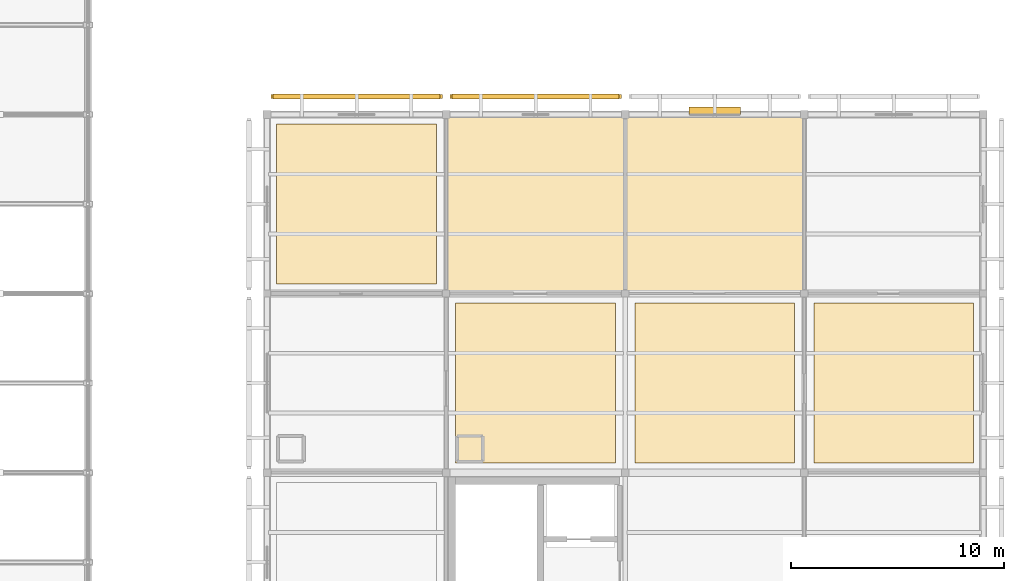
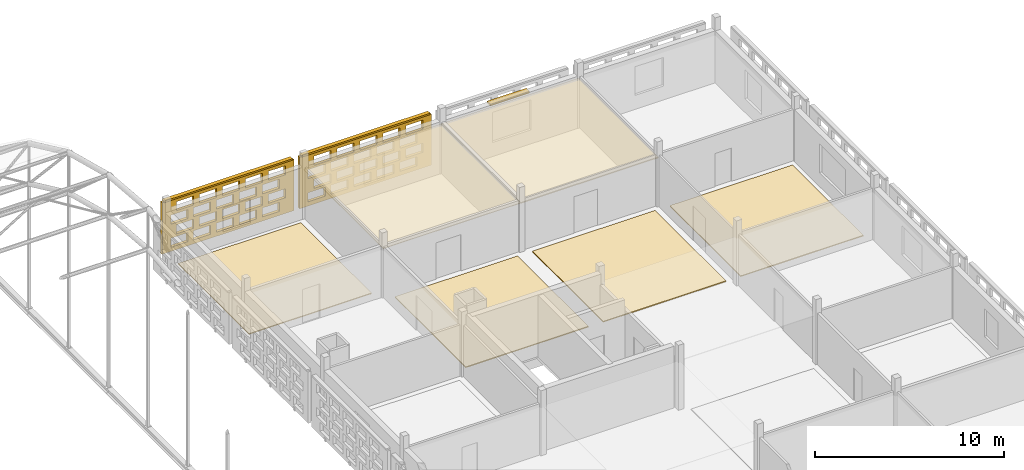
# One storey, part 101 of 103: 8 coverings, 3 shading devices, 40 openings.
"""IFC4 building model written with IfcOpenShell, lengths in metres."""

from ifc_helpers import new_model, si_unit, direction, frame, frame_2d, origin, origin_2d, place, context, subcontext, project, spatial, rectangle, extrude, material, layer, layer_set, type_object, element, save


model = new_model("IFC4")

# Units and contexts
model_context = context("Model", 3, precision=1e-05, world=origin(), true_north=direction((0.0, 1.0)))
body_context = subcontext(model_context, "Body", "Model", "MODEL_VIEW")
ifc_project = project(units=[si_unit("LENGTHUNIT", "METRE"), si_unit("AREAUNIT", "SQUARE_METRE"), si_unit("VOLUMEUNIT", "CUBIC_METRE"), si_unit("PLANEANGLEUNIT", "RADIAN"), si_unit("MASSUNIT", "GRAM", prefix="KILO")], contexts=[model_context])

# Site, building, storey
site_placement = place(None, origin())
site = spatial("IfcSite", under=ifc_project, at=site_placement, CompositionType="ELEMENT")
building_placement = place(site_placement, origin())
building = spatial("IfcBuilding", under=site, at=building_placement, Name="Varnapada Polytechnic", CompositionType="ELEMENT")
storey_placement = place(building_placement, frame((0.0, 0.0, 18.0)))
storey = spatial("IfcBuildingStorey", under=building, at=storey_placement, Name="L04", CompositionType="ELEMENT", Elevation=18.0)

# Coverings
ifc_material_1 = material(Name="Anti-Static Raised Laboratory Flooring")
ifc_layer_1 = layer(ifc_material_1, 0.06005859375)
ifc_layer_set_1 = layer_set([ifc_layer_1], Name="Anti-Static Raised Laboratory Flooring")
covering_type_1 = type_object("IfcCoveringType", Name="Floor Finish FLR-02", PredefinedType="FLOORING", material=ifc_layer_set_1)
for number, where, z_axis, x_axis, name in (
    (1, (155.39990234375, 105.0, 0.0), (0.0, 0.0, 1.0), (1.0, 0.0, 0.0), "L04 floor finish panel (19,13)"),
    (2, (163.800048828125, 105.0, 0.0), (0.0, 0.0, 1.0), (1.0, 0.0, 0.0), "L04 floor finish panel (20,13)"),
    (3, (172.199951171875, 105.0, 0.0), (0.0, 0.0, 1.0), (1.0, 0.0, 0.0), "L04 floor finish panel (21,13)"),
):
    element("IfcCovering", number, at=place(storey_placement, frame(where, z_axis=z_axis, x_axis=x_axis)), inside=storey, type_object=covering_type_1, Name=name, PredefinedType="FLOORING", context=body_context, shape_type="SweptSolid", body=[
        extrude(rectangle(XDim=7.5, YDim=7.5, at=origin_2d()), origin(), (0.0, 0.0, 1.0), 0.06005859375),
    ])
ifc_material_2 = material(Name="End-Grain Timber Studio Block Flooring", Category="wood")
ifc_layer_2 = layer(ifc_material_2, 0.054931640625)
ifc_layer_set_2 = layer_set([ifc_layer_2], Name="End-Grain Timber Studio Block Flooring")
covering_type_2 = type_object("IfcCoveringType", Name="Floor Finish FLR-04", PredefinedType="FLOORING", material=ifc_layer_set_2)
covering_1_placement = place(storey_placement, frame((147.0, 113.39990234375, 0.0), z_axis=(0.0, 0.0, 1.0), x_axis=(1.0, 0.0, 0.0)))
element("IfcCovering", 4, at=covering_1_placement, inside=storey, type_object=covering_type_2, Name="L04 floor finish panel (18,14)", PredefinedType="FLOORING", context=body_context, shape_type="SweptSolid", body=[
    extrude(rectangle(XDim=7.5, YDim=7.5, at=origin_2d()), origin(), (0.0, 0.0, 1.0), 0.054931640625),
])

# Shading device
ifc_material_3 = material(Name="Anodised aluminium", Category="aluminium")
ifc_layer_3 = layer(ifc_material_3, 0.35009765625)
ifc_layer_set_3 = layer_set([ifc_layer_3], Name="Anodised aluminium")
shading_device_type_1 = type_object("IfcShadingDeviceType", Name="Solar Louvre LVR-01", PredefinedType="JALOUSIE", material=ifc_layer_set_3)
shading_device_placement = place(storey_placement, frame((163.800048828125, 117.780029296875, 3.159912109375), z_axis=(0.0, 0.0, 1.0), x_axis=(1.0, 0.0, 0.0)))
element("IfcShadingDevice", 5, at=shading_device_placement, inside=storey, type_object=shading_device_type_1, Name="L04 aluminium sun louvre 52", PredefinedType="JALOUSIE", context=body_context, shape_type="SweptSolid", body=[
    extrude(rectangle(XDim=2.39990234375, YDim=0.340087890625, at=origin_2d()), origin(), (0.0, 0.0, 1.0), 0.1201171875),
])

# Coverings
ifc_material_4 = material(Name="Mineral Fibre Acoustic Ceiling Tile")
ifc_layer_4 = layer(ifc_material_4, 0.0400390625)
ifc_layer_set_4 = layer_set([ifc_layer_4], Name="Mineral Fibre Acoustic Ceiling Tile")
covering_type_3 = type_object("IfcCoveringType", Name="Suspended Ceiling CLG-01", PredefinedType="CEILING", material=ifc_layer_set_4)
covering_2_placement = place(storey_placement, frame((155.39990234375, 113.39990234375, 3.030029296875), z_axis=(0.0, 0.0, 1.0), x_axis=(1.0, 0.0, 0.0)))
element("IfcCovering", 6, at=covering_2_placement, inside=storey, type_object=covering_type_3, Name="L04 suspended acoustic ceiling (19,14)", PredefinedType="CEILING", context=body_context, shape_type="SweptSolid", body=[
    extrude(rectangle(XDim=8.419921875, YDim=8.419921875, at=origin_2d()), origin(), (0.0, 0.0, 1.0), 0.0400390625),
])
ifc_material_5 = material(Name="Deep Acoustic Auditorium Cloud Baffle")
ifc_layer_5 = layer(ifc_material_5, 0.06494140625)
ifc_layer_set_5 = layer_set([ifc_layer_5], Name="Deep Acoustic Auditorium Cloud Baffle")
covering_type_4 = type_object("IfcCoveringType", Name="Suspended Ceiling CLG-07", PredefinedType="CEILING", material=ifc_layer_set_5)
covering_3_placement = place(storey_placement, frame((163.800048828125, 113.39990234375, 3.017578125), z_axis=(0.0, 0.0, 1.0), x_axis=(1.0, 0.0, 0.0)))
element("IfcCovering", 7, at=covering_3_placement, inside=storey, type_object=covering_type_4, Name="L04 suspended acoustic ceiling (20,14)", PredefinedType="CEILING", context=body_context, shape_type="SweptSolid", body=[
    extrude(rectangle(XDim=8.419921875, YDim=8.419921875, at=origin_2d()), origin(), (0.0, 0.0, 1.0), 0.06494140625),
])

# Covering, openings
ifc_material_6 = material(Name="Earth-toned architectural terracotta screen block", Category="masonry")
ifc_layer_6 = layer(ifc_material_6, 0.1201171875)
ifc_layer_set_6 = layer_set([ifc_layer_6], Name="Earth-toned architectural terracotta screen block")
covering_type_5 = type_object("IfcCoveringType", Name="Terracotta Screen Cladding CLD-01", PredefinedType="CLADDING", material=ifc_layer_set_6)
covering_4_placement = place(storey_placement, frame((142.97998046875, 118.449951171875, 0.0), z_axis=(0.0, 0.0, 1.0), x_axis=(1.0, 0.0, 0.0)))
covering_4 = element("IfcCovering", 8, at=covering_4_placement, inside=storey, type_object=covering_type_5, Name="L04 perforated terracotta block screen (47)", PredefinedType="CLADDING", context=body_context, shape_type="SweptSolid", body=[
    extrude(rectangle(XDim=8.0400390625, YDim=0.179931640625, at=frame_2d((4.02001953125, 0.0))), origin(), (0.0, 0.0, 1.0), 3.320068359375),
])
opening_1_placement = place(covering_4_placement, frame((0.52001953125, 0.0, 0.265625)))
element("IfcOpeningElement", 9, at=opening_1_placement, cuts=covering_4, Name="Screen perforation TBS-L04-046.1", PredefinedType="OPENING", context=body_context, shape_type="SweptSolid", body=[
    extrude(rectangle(XDim=1.0400390625, YDim=0.5810546875, at=frame_2d((0.52001953125, 0.29052734375))), frame((0.0, 0.099853515625, 0.0), z_axis=(0.0, -1.0, 0.0), x_axis=(1.0, 0.0, 0.0)), (0.0, 0.0, 1.0), 0.199951171875),
])
opening_2_placement = place(covering_4_placement, frame((1.919921875, 0.0, 0.265625)))
element("IfcOpeningElement", 10, at=opening_2_placement, cuts=covering_4, Name="Screen perforation TBS-L04-046.2", PredefinedType="OPENING", context=body_context, shape_type="SweptSolid", body=[
    extrude(rectangle(XDim=1.0400390625, YDim=0.5810546875, at=frame_2d((0.52001953125, 0.29052734375))), frame((0.0, 0.099853515625, 0.0), z_axis=(0.0, -1.0, 0.0), x_axis=(1.0, 0.0, 0.0)), (0.0, 0.0, 1.0), 0.199951171875),
])
opening_3_placement = place(covering_4_placement, frame((3.320068359375, 0.0, 0.265625)))
element("IfcOpeningElement", 11, at=opening_3_placement, cuts=covering_4, Name="Screen perforation TBS-L04-046.3", PredefinedType="OPENING", context=body_context, shape_type="SweptSolid", body=[
    extrude(rectangle(XDim=1.0400390625, YDim=0.5810546875, at=frame_2d((0.52001953125, 0.29052734375))), frame((0.0, 0.099853515625, 0.0), z_axis=(0.0, -1.0, 0.0), x_axis=(1.0, 0.0, 0.0)), (0.0, 0.0, 1.0), 0.199951171875),
])
opening_4_placement = place(covering_4_placement, frame((4.719970703125, 0.0, 0.265625)))
element("IfcOpeningElement", 12, at=opening_4_placement, cuts=covering_4, Name="Screen perforation TBS-L04-046.4", PredefinedType="OPENING", context=body_context, shape_type="SweptSolid", body=[
    extrude(rectangle(XDim=1.0400390625, YDim=0.5810546875, at=frame_2d((0.52001953125, 0.29052734375))), frame((0.0, 0.099853515625, 0.0), z_axis=(0.0, -1.0, 0.0), x_axis=(1.0, 0.0, 0.0)), (0.0, 0.0, 1.0), 0.199951171875),
])
opening_5_placement = place(covering_4_placement, frame((6.1201171875, 0.0, 0.265625)))
element("IfcOpeningElement", 13, at=opening_5_placement, cuts=covering_4, Name="Screen perforation TBS-L04-046.5", PredefinedType="OPENING", context=body_context, shape_type="SweptSolid", body=[
    extrude(rectangle(XDim=1.0400390625, YDim=0.5810546875, at=frame_2d((0.52001953125, 0.29052734375))), frame((0.0, 0.099853515625, 0.0), z_axis=(0.0, -1.0, 0.0), x_axis=(1.0, 0.0, 0.0)), (0.0, 0.0, 1.0), 0.199951171875),
])
opening_6_placement = place(covering_4_placement, frame((0.8798828125, 0.0, 1.0126953125)))
element("IfcOpeningElement", 14, at=opening_6_placement, cuts=covering_4, Name="Screen perforation TBS-L04-046.6", PredefinedType="OPENING", context=body_context, shape_type="SweptSolid", body=[
    extrude(rectangle(XDim=1.0400390625, YDim=0.5810546875, at=frame_2d((0.52001953125, 0.29052734375))), frame((0.0, 0.099853515625, 0.0), z_axis=(0.0, -1.0, 0.0), x_axis=(1.0, 0.0, 0.0)), (0.0, 0.0, 1.0), 0.199951171875),
])
opening_7_placement = place(covering_4_placement, frame((2.280029296875, 0.0, 1.0126953125)))
element("IfcOpeningElement", 15, at=opening_7_placement, cuts=covering_4, Name="Screen perforation TBS-L04-046.7", PredefinedType="OPENING", context=body_context, shape_type="SweptSolid", body=[
    extrude(rectangle(XDim=1.0400390625, YDim=0.5810546875, at=frame_2d((0.52001953125, 0.29052734375))), frame((0.0, 0.099853515625, 0.0), z_axis=(0.0, -1.0, 0.0), x_axis=(1.0, 0.0, 0.0)), (0.0, 0.0, 1.0), 0.199951171875),
])
opening_8_placement = place(covering_4_placement, frame((3.679931640625, 0.0, 1.0126953125)))
element("IfcOpeningElement", 16, at=opening_8_placement, cuts=covering_4, Name="Screen perforation TBS-L04-046.8", PredefinedType="OPENING", context=body_context, shape_type="SweptSolid", body=[
    extrude(rectangle(XDim=1.0400390625, YDim=0.5810546875, at=frame_2d((0.52001953125, 0.29052734375))), frame((0.0, 0.099853515625, 0.0), z_axis=(0.0, -1.0, 0.0), x_axis=(1.0, 0.0, 0.0)), (0.0, 0.0, 1.0), 0.199951171875),
])
opening_9_placement = place(covering_4_placement, frame((5.080078125, 0.0, 1.0126953125)))
element("IfcOpeningElement", 17, at=opening_9_placement, cuts=covering_4, Name="Screen perforation TBS-L04-046.9", PredefinedType="OPENING", context=body_context, shape_type="SweptSolid", body=[
    extrude(rectangle(XDim=1.0400390625, YDim=0.5810546875, at=frame_2d((0.52001953125, 0.29052734375))), frame((0.0, 0.099853515625, 0.0), z_axis=(0.0, -1.0, 0.0), x_axis=(1.0, 0.0, 0.0)), (0.0, 0.0, 1.0), 0.199951171875),
])
opening_10_placement = place(covering_4_placement, frame((6.47998046875, 0.0, 1.0126953125)))
element("IfcOpeningElement", 18, at=opening_10_placement, cuts=covering_4, Name="Screen perforation TBS-L04-046.10", PredefinedType="OPENING", context=body_context, shape_type="SweptSolid", body=[
    extrude(rectangle(XDim=1.0400390625, YDim=0.5810546875, at=frame_2d((0.52001953125, 0.29052734375))), frame((0.0, 0.099853515625, 0.0), z_axis=(0.0, -1.0, 0.0), x_axis=(1.0, 0.0, 0.0)), (0.0, 0.0, 1.0), 0.199951171875),
])
opening_11_placement = place(covering_4_placement, frame((0.52001953125, 0.0, 1.759521484375)))
element("IfcOpeningElement", 19, at=opening_11_placement, cuts=covering_4, Name="Screen perforation TBS-L04-046.11", PredefinedType="OPENING", context=body_context, shape_type="SweptSolid", body=[
    extrude(rectangle(XDim=1.0400390625, YDim=0.5810546875, at=frame_2d((0.52001953125, 0.29052734375))), frame((0.0, 0.099853515625, 0.0), z_axis=(0.0, -1.0, 0.0), x_axis=(1.0, 0.0, 0.0)), (0.0, 0.0, 1.0), 0.199951171875),
])
opening_12_placement = place(covering_4_placement, frame((1.919921875, 0.0, 1.759521484375)))
element("IfcOpeningElement", 20, at=opening_12_placement, cuts=covering_4, Name="Screen perforation TBS-L04-046.12", PredefinedType="OPENING", context=body_context, shape_type="SweptSolid", body=[
    extrude(rectangle(XDim=1.0400390625, YDim=0.5810546875, at=frame_2d((0.52001953125, 0.29052734375))), frame((0.0, 0.099853515625, 0.0), z_axis=(0.0, -1.0, 0.0), x_axis=(1.0, 0.0, 0.0)), (0.0, 0.0, 1.0), 0.199951171875),
])
opening_13_placement = place(covering_4_placement, frame((3.320068359375, 0.0, 1.759521484375)))
element("IfcOpeningElement", 21, at=opening_13_placement, cuts=covering_4, Name="Screen perforation TBS-L04-046.13", PredefinedType="OPENING", context=body_context, shape_type="SweptSolid", body=[
    extrude(rectangle(XDim=1.0400390625, YDim=0.5810546875, at=frame_2d((0.52001953125, 0.29052734375))), frame((0.0, 0.099853515625, 0.0), z_axis=(0.0, -1.0, 0.0), x_axis=(1.0, 0.0, 0.0)), (0.0, 0.0, 1.0), 0.199951171875),
])
opening_14_placement = place(covering_4_placement, frame((4.719970703125, 0.0, 1.759521484375)))
element("IfcOpeningElement", 22, at=opening_14_placement, cuts=covering_4, Name="Screen perforation TBS-L04-046.14", PredefinedType="OPENING", context=body_context, shape_type="SweptSolid", body=[
    extrude(rectangle(XDim=1.0400390625, YDim=0.5810546875, at=frame_2d((0.52001953125, 0.29052734375))), frame((0.0, 0.099853515625, 0.0), z_axis=(0.0, -1.0, 0.0), x_axis=(1.0, 0.0, 0.0)), (0.0, 0.0, 1.0), 0.199951171875),
])
opening_15_placement = place(covering_4_placement, frame((6.1201171875, 0.0, 1.759521484375)))
element("IfcOpeningElement", 23, at=opening_15_placement, cuts=covering_4, Name="Screen perforation TBS-L04-046.15", PredefinedType="OPENING", context=body_context, shape_type="SweptSolid", body=[
    extrude(rectangle(XDim=1.0400390625, YDim=0.5810546875, at=frame_2d((0.52001953125, 0.29052734375))), frame((0.0, 0.099853515625, 0.0), z_axis=(0.0, -1.0, 0.0), x_axis=(1.0, 0.0, 0.0)), (0.0, 0.0, 1.0), 0.199951171875),
])
opening_16_placement = place(covering_4_placement, frame((0.8798828125, 0.0, 2.506591796875)))
element("IfcOpeningElement", 24, at=opening_16_placement, cuts=covering_4, Name="Screen perforation TBS-L04-046.16", PredefinedType="OPENING", context=body_context, shape_type="SweptSolid", body=[
    extrude(rectangle(XDim=1.0400390625, YDim=0.5810546875, at=frame_2d((0.52001953125, 0.29052734375))), frame((0.0, 0.099853515625, 0.0), z_axis=(0.0, -1.0, 0.0), x_axis=(1.0, 0.0, 0.0)), (0.0, 0.0, 1.0), 0.199951171875),
])
opening_17_placement = place(covering_4_placement, frame((2.280029296875, 0.0, 2.506591796875)))
element("IfcOpeningElement", 25, at=opening_17_placement, cuts=covering_4, Name="Screen perforation TBS-L04-046.17", PredefinedType="OPENING", context=body_context, shape_type="SweptSolid", body=[
    extrude(rectangle(XDim=1.0400390625, YDim=0.5810546875, at=frame_2d((0.52001953125, 0.29052734375))), frame((0.0, 0.099853515625, 0.0), z_axis=(0.0, -1.0, 0.0), x_axis=(1.0, 0.0, 0.0)), (0.0, 0.0, 1.0), 0.199951171875),
])
opening_18_placement = place(covering_4_placement, frame((3.679931640625, 0.0, 2.506591796875)))
element("IfcOpeningElement", 26, at=opening_18_placement, cuts=covering_4, Name="Screen perforation TBS-L04-046.18", PredefinedType="OPENING", context=body_context, shape_type="SweptSolid", body=[
    extrude(rectangle(XDim=1.0400390625, YDim=0.5810546875, at=frame_2d((0.52001953125, 0.29052734375))), frame((0.0, 0.099853515625, 0.0), z_axis=(0.0, -1.0, 0.0), x_axis=(1.0, 0.0, 0.0)), (0.0, 0.0, 1.0), 0.199951171875),
])
opening_19_placement = place(covering_4_placement, frame((5.080078125, 0.0, 2.506591796875)))
element("IfcOpeningElement", 27, at=opening_19_placement, cuts=covering_4, Name="Screen perforation TBS-L04-046.19", PredefinedType="OPENING", context=body_context, shape_type="SweptSolid", body=[
    extrude(rectangle(XDim=1.0400390625, YDim=0.5810546875, at=frame_2d((0.52001953125, 0.29052734375))), frame((0.0, 0.099853515625, 0.0), z_axis=(0.0, -1.0, 0.0), x_axis=(1.0, 0.0, 0.0)), (0.0, 0.0, 1.0), 0.199951171875),
])
opening_20_placement = place(covering_4_placement, frame((6.47998046875, 0.0, 2.506591796875)))
element("IfcOpeningElement", 28, at=opening_20_placement, cuts=covering_4, Name="Screen perforation TBS-L04-046.20", PredefinedType="OPENING", context=body_context, shape_type="SweptSolid", body=[
    extrude(rectangle(XDim=1.0400390625, YDim=0.5810546875, at=frame_2d((0.52001953125, 0.29052734375))), frame((0.0, 0.099853515625, 0.0), z_axis=(0.0, -1.0, 0.0), x_axis=(1.0, 0.0, 0.0)), (0.0, 0.0, 1.0), 0.199951171875),
])

covering_5_placement = place(storey_placement, frame((151.3798828125, 118.449951171875, 0.0), z_axis=(0.0, 0.0, 1.0), x_axis=(1.0, 0.0, 0.0)))
covering_5 = element("IfcCovering", 29, at=covering_5_placement, inside=storey, type_object=covering_type_5, Name="L04 perforated terracotta block screen (50)", PredefinedType="CLADDING", context=body_context, shape_type="SweptSolid", body=[
    extrude(rectangle(XDim=8.0400390625, YDim=0.179931640625, at=frame_2d((4.02001953125, 0.0))), origin(), (0.0, 0.0, 1.0), 3.320068359375),
])
opening_21_placement = place(covering_5_placement, frame((0.52001953125, 0.0, 0.265625)))
element("IfcOpeningElement", 30, at=opening_21_placement, cuts=covering_5, Name="Screen perforation TBS-L04-049.1", PredefinedType="OPENING", context=body_context, shape_type="SweptSolid", body=[
    extrude(rectangle(XDim=1.0400390625, YDim=0.5810546875, at=frame_2d((0.52001953125, 0.29052734375))), frame((0.0, 0.099853515625, 0.0), z_axis=(0.0, -1.0, 0.0), x_axis=(1.0, 0.0, 0.0)), (0.0, 0.0, 1.0), 0.199951171875),
])
opening_22_placement = place(covering_5_placement, frame((1.919921875, 0.0, 0.265625)))
element("IfcOpeningElement", 31, at=opening_22_placement, cuts=covering_5, Name="Screen perforation TBS-L04-049.2", PredefinedType="OPENING", context=body_context, shape_type="SweptSolid", body=[
    extrude(rectangle(XDim=1.0400390625, YDim=0.5810546875, at=frame_2d((0.52001953125, 0.29052734375))), frame((0.0, 0.099853515625, 0.0), z_axis=(0.0, -1.0, 0.0), x_axis=(1.0, 0.0, 0.0)), (0.0, 0.0, 1.0), 0.199951171875),
])
opening_23_placement = place(covering_5_placement, frame((3.320068359375, 0.0, 0.265625)))
element("IfcOpeningElement", 32, at=opening_23_placement, cuts=covering_5, Name="Screen perforation TBS-L04-049.3", PredefinedType="OPENING", context=body_context, shape_type="SweptSolid", body=[
    extrude(rectangle(XDim=1.0400390625, YDim=0.5810546875, at=frame_2d((0.52001953125, 0.29052734375))), frame((0.0, 0.099853515625, 0.0), z_axis=(0.0, -1.0, 0.0), x_axis=(1.0, 0.0, 0.0)), (0.0, 0.0, 1.0), 0.199951171875),
])
opening_24_placement = place(covering_5_placement, frame((4.719970703125, 0.0, 0.265625)))
element("IfcOpeningElement", 33, at=opening_24_placement, cuts=covering_5, Name="Screen perforation TBS-L04-049.4", PredefinedType="OPENING", context=body_context, shape_type="SweptSolid", body=[
    extrude(rectangle(XDim=1.0400390625, YDim=0.5810546875, at=frame_2d((0.52001953125, 0.29052734375))), frame((0.0, 0.099853515625, 0.0), z_axis=(0.0, -1.0, 0.0), x_axis=(1.0, 0.0, 0.0)), (0.0, 0.0, 1.0), 0.199951171875),
])
opening_25_placement = place(covering_5_placement, frame((6.1201171875, 0.0, 0.265625)))
element("IfcOpeningElement", 34, at=opening_25_placement, cuts=covering_5, Name="Screen perforation TBS-L04-049.5", PredefinedType="OPENING", context=body_context, shape_type="SweptSolid", body=[
    extrude(rectangle(XDim=1.0400390625, YDim=0.5810546875, at=frame_2d((0.52001953125, 0.29052734375))), frame((0.0, 0.099853515625, 0.0), z_axis=(0.0, -1.0, 0.0), x_axis=(1.0, 0.0, 0.0)), (0.0, 0.0, 1.0), 0.199951171875),
])
opening_26_placement = place(covering_5_placement, frame((0.8798828125, 0.0, 1.0126953125)))
element("IfcOpeningElement", 35, at=opening_26_placement, cuts=covering_5, Name="Screen perforation TBS-L04-049.6", PredefinedType="OPENING", context=body_context, shape_type="SweptSolid", body=[
    extrude(rectangle(XDim=1.0400390625, YDim=0.5810546875, at=frame_2d((0.52001953125, 0.29052734375))), frame((0.0, 0.099853515625, 0.0), z_axis=(0.0, -1.0, 0.0), x_axis=(1.0, 0.0, 0.0)), (0.0, 0.0, 1.0), 0.199951171875),
])
opening_27_placement = place(covering_5_placement, frame((2.280029296875, 0.0, 1.0126953125)))
element("IfcOpeningElement", 36, at=opening_27_placement, cuts=covering_5, Name="Screen perforation TBS-L04-049.7", PredefinedType="OPENING", context=body_context, shape_type="SweptSolid", body=[
    extrude(rectangle(XDim=1.0400390625, YDim=0.5810546875, at=frame_2d((0.52001953125, 0.29052734375))), frame((0.0, 0.099853515625, 0.0), z_axis=(0.0, -1.0, 0.0), x_axis=(1.0, 0.0, 0.0)), (0.0, 0.0, 1.0), 0.199951171875),
])
opening_28_placement = place(covering_5_placement, frame((3.679931640625, 0.0, 1.0126953125)))
element("IfcOpeningElement", 37, at=opening_28_placement, cuts=covering_5, Name="Screen perforation TBS-L04-049.8", PredefinedType="OPENING", context=body_context, shape_type="SweptSolid", body=[
    extrude(rectangle(XDim=1.0400390625, YDim=0.5810546875, at=frame_2d((0.52001953125, 0.29052734375))), frame((0.0, 0.099853515625, 0.0), z_axis=(0.0, -1.0, 0.0), x_axis=(1.0, 0.0, 0.0)), (0.0, 0.0, 1.0), 0.199951171875),
])
opening_29_placement = place(covering_5_placement, frame((5.080078125, 0.0, 1.0126953125)))
element("IfcOpeningElement", 38, at=opening_29_placement, cuts=covering_5, Name="Screen perforation TBS-L04-049.9", PredefinedType="OPENING", context=body_context, shape_type="SweptSolid", body=[
    extrude(rectangle(XDim=1.0400390625, YDim=0.5810546875, at=frame_2d((0.52001953125, 0.29052734375))), frame((0.0, 0.099853515625, 0.0), z_axis=(0.0, -1.0, 0.0), x_axis=(1.0, 0.0, 0.0)), (0.0, 0.0, 1.0), 0.199951171875),
])
opening_30_placement = place(covering_5_placement, frame((6.47998046875, 0.0, 1.0126953125)))
element("IfcOpeningElement", 39, at=opening_30_placement, cuts=covering_5, Name="Screen perforation TBS-L04-049.10", PredefinedType="OPENING", context=body_context, shape_type="SweptSolid", body=[
    extrude(rectangle(XDim=1.0400390625, YDim=0.5810546875, at=frame_2d((0.52001953125, 0.29052734375))), frame((0.0, 0.099853515625, 0.0), z_axis=(0.0, -1.0, 0.0), x_axis=(1.0, 0.0, 0.0)), (0.0, 0.0, 1.0), 0.199951171875),
])
opening_31_placement = place(covering_5_placement, frame((0.52001953125, 0.0, 1.759521484375)))
element("IfcOpeningElement", 40, at=opening_31_placement, cuts=covering_5, Name="Screen perforation TBS-L04-049.11", PredefinedType="OPENING", context=body_context, shape_type="SweptSolid", body=[
    extrude(rectangle(XDim=1.0400390625, YDim=0.5810546875, at=frame_2d((0.52001953125, 0.29052734375))), frame((0.0, 0.099853515625, 0.0), z_axis=(0.0, -1.0, 0.0), x_axis=(1.0, 0.0, 0.0)), (0.0, 0.0, 1.0), 0.199951171875),
])
opening_32_placement = place(covering_5_placement, frame((1.919921875, 0.0, 1.759521484375)))
element("IfcOpeningElement", 41, at=opening_32_placement, cuts=covering_5, Name="Screen perforation TBS-L04-049.12", PredefinedType="OPENING", context=body_context, shape_type="SweptSolid", body=[
    extrude(rectangle(XDim=1.0400390625, YDim=0.5810546875, at=frame_2d((0.52001953125, 0.29052734375))), frame((0.0, 0.099853515625, 0.0), z_axis=(0.0, -1.0, 0.0), x_axis=(1.0, 0.0, 0.0)), (0.0, 0.0, 1.0), 0.199951171875),
])
opening_33_placement = place(covering_5_placement, frame((3.320068359375, 0.0, 1.759521484375)))
element("IfcOpeningElement", 42, at=opening_33_placement, cuts=covering_5, Name="Screen perforation TBS-L04-049.13", PredefinedType="OPENING", context=body_context, shape_type="SweptSolid", body=[
    extrude(rectangle(XDim=1.0400390625, YDim=0.5810546875, at=frame_2d((0.52001953125, 0.29052734375))), frame((0.0, 0.099853515625, 0.0), z_axis=(0.0, -1.0, 0.0), x_axis=(1.0, 0.0, 0.0)), (0.0, 0.0, 1.0), 0.199951171875),
])
opening_34_placement = place(covering_5_placement, frame((4.719970703125, 0.0, 1.759521484375)))
element("IfcOpeningElement", 43, at=opening_34_placement, cuts=covering_5, Name="Screen perforation TBS-L04-049.14", PredefinedType="OPENING", context=body_context, shape_type="SweptSolid", body=[
    extrude(rectangle(XDim=1.0400390625, YDim=0.5810546875, at=frame_2d((0.52001953125, 0.29052734375))), frame((0.0, 0.099853515625, 0.0), z_axis=(0.0, -1.0, 0.0), x_axis=(1.0, 0.0, 0.0)), (0.0, 0.0, 1.0), 0.199951171875),
])
opening_35_placement = place(covering_5_placement, frame((6.1201171875, 0.0, 1.759521484375)))
element("IfcOpeningElement", 44, at=opening_35_placement, cuts=covering_5, Name="Screen perforation TBS-L04-049.15", PredefinedType="OPENING", context=body_context, shape_type="SweptSolid", body=[
    extrude(rectangle(XDim=1.0400390625, YDim=0.5810546875, at=frame_2d((0.52001953125, 0.29052734375))), frame((0.0, 0.099853515625, 0.0), z_axis=(0.0, -1.0, 0.0), x_axis=(1.0, 0.0, 0.0)), (0.0, 0.0, 1.0), 0.199951171875),
])
opening_36_placement = place(covering_5_placement, frame((0.8798828125, 0.0, 2.506591796875)))
element("IfcOpeningElement", 45, at=opening_36_placement, cuts=covering_5, Name="Screen perforation TBS-L04-049.16", PredefinedType="OPENING", context=body_context, shape_type="SweptSolid", body=[
    extrude(rectangle(XDim=1.0400390625, YDim=0.5810546875, at=frame_2d((0.52001953125, 0.29052734375))), frame((0.0, 0.099853515625, 0.0), z_axis=(0.0, -1.0, 0.0), x_axis=(1.0, 0.0, 0.0)), (0.0, 0.0, 1.0), 0.199951171875),
])
opening_37_placement = place(covering_5_placement, frame((2.280029296875, 0.0, 2.506591796875)))
element("IfcOpeningElement", 46, at=opening_37_placement, cuts=covering_5, Name="Screen perforation TBS-L04-049.17", PredefinedType="OPENING", context=body_context, shape_type="SweptSolid", body=[
    extrude(rectangle(XDim=1.0400390625, YDim=0.5810546875, at=frame_2d((0.52001953125, 0.29052734375))), frame((0.0, 0.099853515625, 0.0), z_axis=(0.0, -1.0, 0.0), x_axis=(1.0, 0.0, 0.0)), (0.0, 0.0, 1.0), 0.199951171875),
])
opening_38_placement = place(covering_5_placement, frame((3.679931640625, 0.0, 2.506591796875)))
element("IfcOpeningElement", 47, at=opening_38_placement, cuts=covering_5, Name="Screen perforation TBS-L04-049.18", PredefinedType="OPENING", context=body_context, shape_type="SweptSolid", body=[
    extrude(rectangle(XDim=1.0400390625, YDim=0.5810546875, at=frame_2d((0.52001953125, 0.29052734375))), frame((0.0, 0.099853515625, 0.0), z_axis=(0.0, -1.0, 0.0), x_axis=(1.0, 0.0, 0.0)), (0.0, 0.0, 1.0), 0.199951171875),
])
opening_39_placement = place(covering_5_placement, frame((5.080078125, 0.0, 2.506591796875)))
element("IfcOpeningElement", 48, at=opening_39_placement, cuts=covering_5, Name="Screen perforation TBS-L04-049.19", PredefinedType="OPENING", context=body_context, shape_type="SweptSolid", body=[
    extrude(rectangle(XDim=1.0400390625, YDim=0.5810546875, at=frame_2d((0.52001953125, 0.29052734375))), frame((0.0, 0.099853515625, 0.0), z_axis=(0.0, -1.0, 0.0), x_axis=(1.0, 0.0, 0.0)), (0.0, 0.0, 1.0), 0.199951171875),
])
opening_40_placement = place(covering_5_placement, frame((6.47998046875, 0.0, 2.506591796875)))
element("IfcOpeningElement", 49, at=opening_40_placement, cuts=covering_5, Name="Screen perforation TBS-L04-049.20", PredefinedType="OPENING", context=body_context, shape_type="SweptSolid", body=[
    extrude(rectangle(XDim=1.0400390625, YDim=0.5810546875, at=frame_2d((0.52001953125, 0.29052734375))), frame((0.0, 0.099853515625, 0.0), z_axis=(0.0, -1.0, 0.0), x_axis=(1.0, 0.0, 0.0)), (0.0, 0.0, 1.0), 0.199951171875),
])

# Shading devices
ifc_layer_7 = layer(ifc_material_6, 0.179931640625)
ifc_layer_set_7 = layer_set([ifc_layer_7], Name="Earth-toned architectural terracotta screen block")
shading_device_type_2 = type_object("IfcShadingDeviceType", Name="Terracotta Screen SCR-01", PredefinedType="USERDEFINED", material=ifc_layer_set_7)
for number, where, z_axis, x_axis, name in (
    (50, (147.0, 118.449951171875, 3.31005859375), (0.0, 0.0, 1.0), (1.0, 0.0, 0.0), "L04 perforated terracotta screen hood 465"),
    (51, (155.39990234375, 118.449951171875, 3.31005859375), (0.0, 0.0, 1.0), (1.0, 0.0, 0.0), "L04 perforated terracotta screen hood 467"),
):
    element("IfcShadingDevice", number, at=place(storey_placement, frame(where, z_axis=z_axis, x_axis=x_axis)), inside=storey, type_object=shading_device_type_2, Name=name, ObjectType="SCREEN", PredefinedType="USERDEFINED", context=body_context, shape_type="SweptSolid", body=[
        extrude(rectangle(XDim=7.840087890625, YDim=0.239990234375, at=origin_2d()), origin(), (0.0, 0.0, 1.0), 0.10009765625),
    ])

save(model, "model.ifc")
